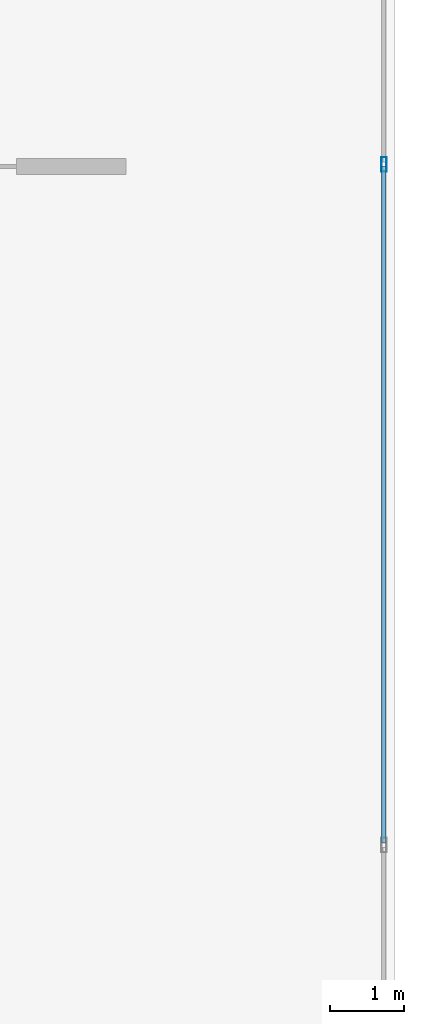
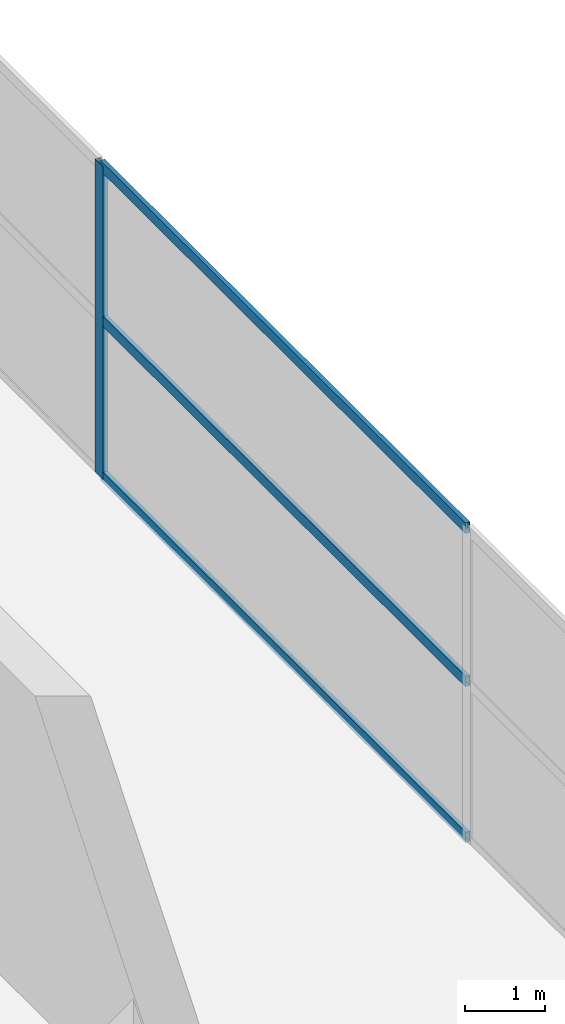
# One storey, part 15 of 20: 4 members, 1 element without a shape of its own.
"""IFC4 building model written with IfcOpenShell, lengths in metres."""

from ifc_helpers import new_model, si_unit, direction, frame, origin, origin_2d, place, context, subcontext, project, spatial, hollow_rectangle, extrude, material, layer, layer_set, material_profile, profile_set, type_object, element, aggregate, save


model = new_model("IFC4")

# Units and contexts
model_context = context("Model", 3, precision=1e-05, world=origin(), true_north=direction((0.0, 1.0)))
body_context = subcontext(model_context, "Body", "Model", "MODEL_VIEW")
ifc_project = project(units=[si_unit("LENGTHUNIT", "METRE"), si_unit("AREAUNIT", "SQUARE_METRE"), si_unit("VOLUMEUNIT", "CUBIC_METRE"), si_unit("PLANEANGLEUNIT", "RADIAN"), si_unit("MASSUNIT", "GRAM", prefix="KILO")], contexts=[model_context])

# Site, building, storey
site_placement = place(None, origin())
site = spatial("IfcSite", under=ifc_project, at=site_placement, CompositionType="ELEMENT")
building_placement = place(site_placement, origin())
building = spatial("IfcBuilding", under=site, at=building_placement, Name="Calvorn Quay Hotel", CompositionType="ELEMENT")
storey_placement = place(building_placement, frame((0.0, 0.0, 340.5)))
storey = spatial("IfcBuildingStorey", under=building, at=storey_placement, Name="L83", CompositionType="ELEMENT", Elevation=340.5)

# Curtain wall, members
ifc_material_1 = material(Name="Pale Anodised Aluminium and Laminated Glass", Category="aluminium")
ifc_layer = layer(ifc_material_1, 0.219970703125)
ifc_layer_set = layer_set([ifc_layer], Name="CW-SYS-CRN")
curtain_wall_type = type_object("IfcCurtainWallType", Name="CW-SYS-CRN", PredefinedType="NOTDEFINED", material=ifc_layer_set)
curtain_wall_placement = place(storey_placement, origin())
curtain_wall = element("IfcCurtainWall", 1, at=curtain_wall_placement, inside=storey, type_object=curtain_wall_type, Name="Crown Curtain Wall L83-C2", PredefinedType="NOTDEFINED")
ifc_material_2 = material(Name="Pale Anodised Aluminium 6063-T6", Category="aluminium")
ifc_material_profile_1 = material_profile(ifc_material_2, hollow_rectangle(XDim=0.072021484375, YDim=0.195068359375, WallThickness=0.00390625, at=origin_2d()), Name="ALU-M195x72x4")
ifc_profile_set_1 = profile_set([ifc_material_profile_1], Name="Pale Anodised Aluminium 6063-T6")
member_type_1 = type_object("IfcMemberType", Name="CW-SYS-CRN-MUL", PredefinedType="MULLION", material=ifc_profile_set_1)
member_1_placement = place(storey_placement, frame((21.217041015625, 39.22802734375, 0.0), z_axis=(0.0, 0.0, 1.0), x_axis=(-1.0, 0.0, 0.0)))
member_1 = element("IfcMember", 2, at=member_1_placement, type_object=member_type_1, Name="CW-L83-C2 mullion 5", PredefinedType="MULLION", context=body_context, shape_type="SweptSolid", body=[
    extrude(hollow_rectangle(XDim=0.072021484375, YDim=0.195068359375, WallThickness=0.00390625, at=origin_2d()), origin(), (0.0, 0.0, 1.0), 4.760009765625),
])
ifc_material_3 = material(Name="Pale Anodised Aluminium 6063-T6", Category="aluminium")
ifc_material_profile_2 = material_profile(ifc_material_3, hollow_rectangle(XDim=0.06201171875, YDim=0.159912109375, WallThickness=0.00341796875, at=origin_2d()), Name="ALU-T160x62x3.5")
ifc_profile_set_2 = profile_set([ifc_material_profile_2], Name="Pale Anodised Aluminium 6063-T6")
member_type_2 = type_object("IfcMemberType", Name="CW-SYS-CRN-TRN", PredefinedType="USERDEFINED", material=ifc_profile_set_2)
member_2_placement = place(storey_placement, frame((21.217041015625, 30.10595703125, 0.030029296875), z_axis=(0.0, 1.0, 0.0), x_axis=(-1.0, 0.0, 0.0)))
member_2 = element("IfcMember", 3, at=member_2_placement, type_object=member_type_2, Name="CW-L83-C2 transom 4.1", ObjectType="TRANSOM", PredefinedType="USERDEFINED", context=body_context, shape_type="SweptSolid", body=[
    extrude(hollow_rectangle(XDim=0.06201171875, YDim=0.159912109375, WallThickness=0.00341796875, at=origin_2d()), origin(), (0.0, 0.0, 1.0), 9.092041015625),
])
member_3_placement = place(storey_placement, frame((21.217041015625, 30.10595703125, 2.39990234375), z_axis=(0.0, 1.0, 0.0), x_axis=(-1.0, 0.0, 0.0)))
member_3 = element("IfcMember", 4, at=member_3_placement, type_object=member_type_2, Name="CW-L83-C2 transom 4.2", ObjectType="TRANSOM", PredefinedType="USERDEFINED", context=body_context, shape_type="SweptSolid", body=[
    extrude(hollow_rectangle(XDim=0.06201171875, YDim=0.159912109375, WallThickness=0.00341796875, at=origin_2d()), origin(), (0.0, 0.0, 1.0), 9.092041015625),
])
member_4_placement = place(storey_placement, frame((21.217041015625, 30.10595703125, 4.72998046875), z_axis=(0.0, 1.0, 0.0), x_axis=(-1.0, 0.0, 0.0)))
member_4 = element("IfcMember", 5, at=member_4_placement, type_object=member_type_2, Name="CW-L83-C2 transom 4.3", ObjectType="TRANSOM", PredefinedType="USERDEFINED", context=body_context, shape_type="SweptSolid", body=[
    extrude(hollow_rectangle(XDim=0.06201171875, YDim=0.159912109375, WallThickness=0.00341796875, at=origin_2d()), origin(), (0.0, 0.0, 1.0), 9.092041015625),
])
aggregate(curtain_wall, [member_1, member_2, member_3, member_4])

save(model, "model.ifc")
